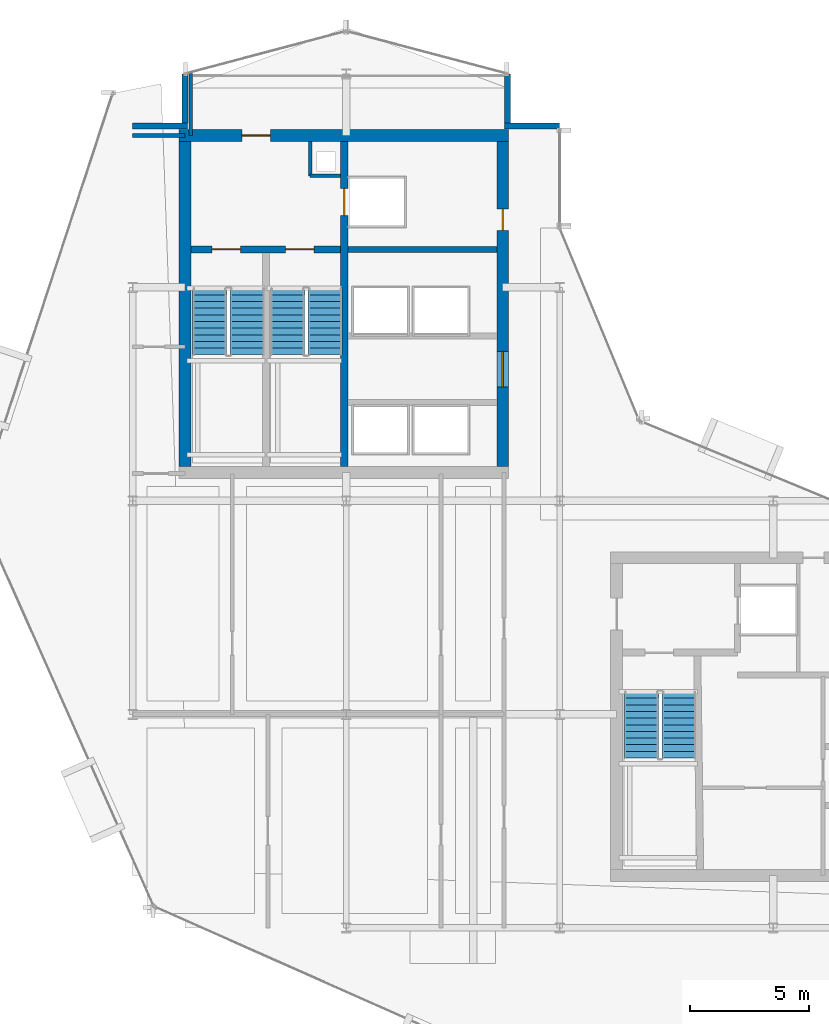
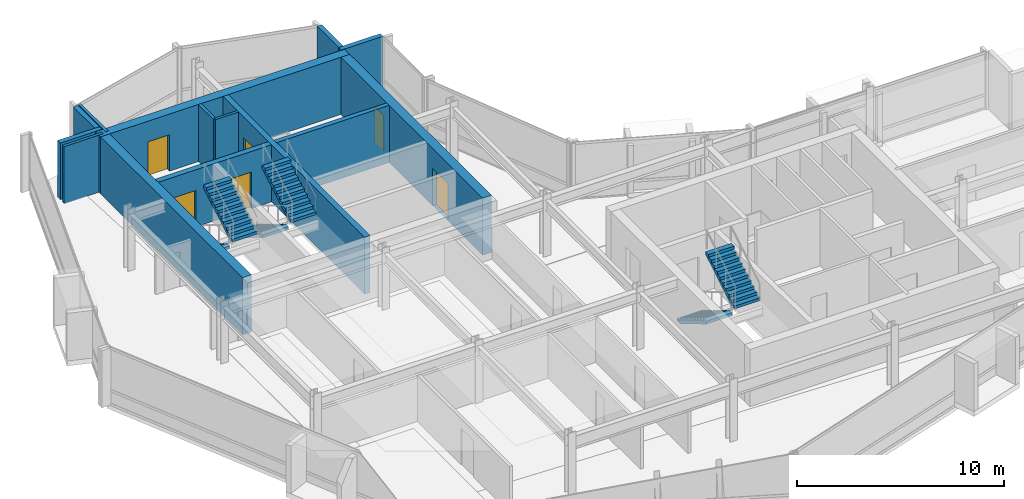
# One storey, part 21 of 27: 14 walls, 6 doors, 6 stair flights, 6 openings, 3 elements without a shape of their own.
"""IFC4 building model written with IfcOpenShell, lengths in metres."""

from ifc_helpers import new_model, si_unit, direction, frame, frame_2d, origin, place, context, subcontext, project, spatial, polyline, rectangle, outline, extrude, material, layer, layer_set, type_object, element, fill, aggregate, save


model = new_model("IFC4")

# Units and contexts
model_context = context("Model", 3, precision=1e-05, world=origin(), true_north=direction((0.0, 1.0)))
body_context = subcontext(model_context, "Body", "Model", "MODEL_VIEW")
ifc_project = project(units=[si_unit("LENGTHUNIT", "METRE"), si_unit("AREAUNIT", "SQUARE_METRE"), si_unit("VOLUMEUNIT", "CUBIC_METRE"), si_unit("PLANEANGLEUNIT", "RADIAN"), si_unit("MASSUNIT", "GRAM", prefix="KILO")], contexts=[model_context])

# Site, building, storey
site_placement = place(None, origin())
site = spatial("IfcSite", under=ifc_project, at=site_placement, CompositionType="ELEMENT")
building_placement = place(site_placement, origin())
building = spatial("IfcBuilding", under=site, at=building_placement, Name="Solvaryn Broadcast Tower", CompositionType="ELEMENT")
storey_placement = place(building_placement, frame((0.0, 0.0, 192.699951171875)))
storey = spatial("IfcBuildingStorey", under=building, at=storey_placement, Name="L48", CompositionType="ELEMENT", Elevation=192.699951171875)

# Wall, opening, door
ifc_material_1 = material(Name="Concrete f'c 70 MPa", Category="concrete")
ifc_layer_1 = layer(ifc_material_1, 0.5)
ifc_layer_set_1 = layer_set([ifc_layer_1], Name="CW-SHEAR-500")
wall_type_1 = type_object("IfcWallType", Name="CW-SHEAR-500", PredefinedType="SHEAR", material=ifc_layer_set_1)
wall_1_placement = place(storey_placement, frame((24.85009765625, 42.39990234375, 0.0), z_axis=(0.0, 0.0, 1.0), x_axis=(-1.0, 0.0, 0.0)))
wall_1 = element("IfcWall", 1, at=wall_1_placement, inside=storey, type_object=wall_type_1, Name="L48 West Core North Shear Wall", PredefinedType="SHEAR", context=body_context, shape_type="SweptSolid", body=[
    extrude(rectangle(XDim=13.900146484375, YDim=0.5, at=frame_2d((6.9501953125, 0.0))), origin(), (0.0, 0.0, 1.0), 3.3701171875),
])
opening_1_placement = place(wall_1_placement, frame((10.050048828125, 0.0, 0.0)))
opening_1 = element("IfcOpeningElement", 2, at=opening_1_placement, cuts=wall_1, Name="Opening FD90A", PredefinedType="OPENING", context=body_context, shape_type="SweptSolid", body=[
    extrude(rectangle(XDim=1.199951171875, YDim=2.14990234375, at=frame_2d((0.60009765625, 1.074951171875))), frame((0.0, 0.260009765625, 0.0), z_axis=(0.0, -1.0, 0.0), x_axis=(1.0, 0.0, 0.0)), (0.0, 0.0, 1.0), 0.52001953125),
])
ifc_material_2 = material(Name="Flush Acoustic Steel and Timber Door Assembly", Category="steel")
door_type_1 = type_object("IfcDoorType", Name="FD90-STAIR-1200X2150", OperationType="NOTDEFINED", PredefinedType="DOOR", material=ifc_material_2)
door_1_placement = place(opening_1_placement, origin())
door_1 = element("IfcDoor", 3, at=door_1_placement, inside=storey, type_object=door_type_1, Name="L48 West FSAE Lobby Corridor Door", OperationType="SINGLE_SWING_LEFT", OverallHeight=2.14990234375, OverallWidth=1.199951171875, PredefinedType="DOOR", context=body_context, shape_type="SweptSolid", body=[
    extrude(rectangle(XDim=1.199951171875, YDim=2.14990234375, at=frame_2d((0.60009765625, 1.074951171875))), frame((0.0, 0.02490234375, 0.0), z_axis=(0.0, -1.0, 0.0), x_axis=(1.0, 0.0, 0.0)), (0.0, 0.0, 1.0), 0.050048828125),
])
fill(opening_1, door_1)

# Wall
wall_2_placement = place(storey_placement, frame((11.199951171875, 42.14990234375, 0.0), z_axis=(0.0, 0.0, 1.0), x_axis=(0.0, -1.0, 0.0)))
element("IfcWall", 4, at=wall_2_placement, inside=storey, type_object=wall_type_1, Name="L48 West Core West Shear Wall", PredefinedType="SHEAR", context=body_context, shape_type="SweptSolid", body=[
    extrude(rectangle(XDim=13.699951171875, YDim=0.5, at=frame_2d((6.85009765625, 0.0))), origin(), (0.0, 0.0, 1.0), 3.3701171875),
])

# Wall, openings, doors
wall_3_placement = place(storey_placement, frame((24.60009765625, 28.449951171875, 0.0), z_axis=(0.0, 0.0, 1.0), x_axis=(0.0, 1.0, 0.0)))
wall_3 = element("IfcWall", 5, at=wall_3_placement, inside=storey, type_object=wall_type_1, Name="L48 West Core East Shear Wall", PredefinedType="SHEAR", context=body_context, shape_type="SweptSolid", body=[
    extrude(rectangle(XDim=13.699951171875, YDim=0.5, at=frame_2d((6.85009765625, 0.0))), origin(), (0.0, 0.0, 1.0), 3.3701171875),
])
opening_2_placement = place(wall_3_placement, frame((3.35009765625, 0.0, 0.0)))
opening_2 = element("IfcOpeningElement", 6, at=opening_2_placement, cuts=wall_3, Name="Opening FD60A", PredefinedType="OPENING", context=body_context, shape_type="SweptSolid", body=[
    extrude(rectangle(XDim=1.5, YDim=2.199951171875, at=frame_2d((0.75, 1.10009765625))), frame((0.0, 0.260009765625, 0.0), z_axis=(0.0, -1.0, 0.0), x_axis=(1.0, 0.0, 0.0)), (0.0, 0.0, 1.0), 0.52001953125),
])
opening_3_placement = place(wall_3_placement, frame((9.949951171875, 0.0, 0.0)))
opening_3 = element("IfcOpeningElement", 7, at=opening_3_placement, cuts=wall_3, Name="Opening FD60C", PredefinedType="OPENING", context=body_context, shape_type="SweptSolid", body=[
    extrude(rectangle(XDim=0.89990234375, YDim=2.10009765625, at=frame_2d((0.449951171875, 1.050048828125))), frame((0.0, 0.260009765625, 0.0), z_axis=(0.0, -1.0, 0.0), x_axis=(1.0, 0.0, 0.0)), (0.0, 0.0, 1.0), 0.52001953125),
])
ifc_material_3 = material(Name="Flush Acoustic Steel and Timber Door Assembly", Category="steel")
door_type_2 = type_object("IfcDoorType", Name="FD60-CORR-1500X2200", OperationType="NOTDEFINED", PredefinedType="DOOR", material=ifc_material_3)
door_2_placement = place(opening_2_placement, origin())
door_2 = element("IfcDoor", 8, at=door_2_placement, inside=storey, type_object=door_type_2, Name="L48 West Elevator Lobby Corridor Door", OperationType="DOUBLE_DOOR_SINGLE_SWING", OverallHeight=2.199951171875, OverallWidth=1.5, PredefinedType="DOOR", context=body_context, shape_type="SweptSolid", body=[
    extrude(rectangle(XDim=1.5, YDim=2.199951171875, at=frame_2d((0.75, 1.10009765625))), frame((0.0, 0.02490234375, 0.0), z_axis=(0.0, -1.0, 0.0), x_axis=(1.0, 0.0, 0.0)), (0.0, 0.0, 1.0), 0.050048828125),
])
fill(opening_2, door_2)
ifc_material_4 = material(Name="Flush Acoustic Steel and Timber Door Assembly", Category="steel")
door_type_3 = type_object("IfcDoorType", Name="FD60-SERV-900X2100", OperationType="NOTDEFINED", PredefinedType="DOOR", material=ifc_material_4)
door_3_placement = place(opening_3_placement, origin())
door_3 = element("IfcDoor", 9, at=door_3_placement, inside=storey, type_object=door_type_3, Name="L48 West Core Service Door 1", OperationType="SINGLE_SWING_LEFT", OverallHeight=2.10009765625, OverallWidth=0.89990234375, PredefinedType="DOOR", context=body_context, shape_type="SweptSolid", body=[
    extrude(rectangle(XDim=0.89990234375, YDim=2.10009765625, at=frame_2d((0.449951171875, 1.050048828125))), frame((0.0, 0.02490234375, 0.0), z_axis=(0.0, -1.0, 0.0), x_axis=(1.0, 0.0, 0.0)), (0.0, 0.0, 1.0), 0.050048828125),
])
fill(opening_3, door_3)

# Walls
ifc_material_5 = material(Name="Concrete f'c 50 MPa", Category="concrete")
ifc_layer_2 = layer(ifc_material_5, 0.260009765625)
ifc_layer_set_2 = layer_set([ifc_layer_2], Name="EW-PIER-260")
wall_type_2 = type_object("IfcWallType", Name="EW-PIER-260", PredefinedType="SOLIDWALL", material=ifc_layer_set_2)
wall_4_placement = place(storey_placement, frame((9.0, 42.800048828125, 0.0), z_axis=(0.0, 0.0, 1.0), x_axis=(1.0, 0.0, 0.0)))
element("IfcWall", 10, at=wall_4_placement, inside=storey, type_object=wall_type_2, Name="L48 Notched Corner Pier Wall NNW1", PredefinedType="SOLIDWALL", context=body_context, shape_type="SweptSolid", body=[
    extrude(rectangle(XDim=2.320068359375, YDim=0.260009765625, at=frame_2d((1.16015625, 0.0))), origin(), (0.0, 0.0, 1.0), 3.3701171875),
])
for number, where, z_axis, x_axis, name in (
    (11, (11.199951171875, 42.919921875, 0.0), (0.0, 0.0, 1.0), (0.0, 1.0, 0.0), "L48 Notched Corner Pier Wall NNW2"),
    (12, (24.800048828125, 45.0, 0.0), (0.0, 0.0, 1.0), (0.0, -1.0, 0.0), "L48 Notched Corner Pier Wall NNE1"),
):
    element("IfcWall", number, at=place(storey_placement, frame(where, z_axis=z_axis, x_axis=x_axis)), inside=storey, type_object=wall_type_2, Name=name, PredefinedType="SOLIDWALL", context=body_context, shape_type="SweptSolid", body=[
        extrude(rectangle(XDim=2.080078125, YDim=0.260009765625, at=frame_2d((1.0400390625, 0.0))), origin(), (0.0, 0.0, 1.0), 3.3701171875),
    ])
wall_5_placement = place(storey_placement, frame((24.679931640625, 42.800048828125, 0.0), z_axis=(0.0, 0.0, 1.0), x_axis=(1.0, 0.0, 0.0)))
element("IfcWall", 13, at=wall_5_placement, inside=storey, type_object=wall_type_2, Name="L48 Notched Corner Pier Wall NNE2", PredefinedType="SOLIDWALL", context=body_context, shape_type="SweptSolid", body=[
    extrude(rectangle(XDim=2.320068359375, YDim=0.260009765625, at=frame_2d((1.16015625, 0.0))), origin(), (0.0, 0.0, 1.0), 3.3701171875),
])
ifc_material_6 = material(Name="Metal-Stud Service Core Partition")
ifc_layer_3 = layer(ifc_material_6, 0.14990234375)
ifc_layer_set_3 = layer_set([ifc_layer_3], Name="IW-PART-150")
wall_type_3 = type_object("IfcWallType", Name="IW-PART-150", PredefinedType="PARTITIONING", material=ifc_layer_set_3)
wall_6_placement = place(storey_placement, frame((16.47998046875, 40.699951171875, 0.0), z_axis=(0.0, 0.0, 1.0), x_axis=(1.0, 0.0, 0.0)))
element("IfcWall", 14, at=wall_6_placement, inside=storey, type_object=wall_type_3, Name="L48 West Core Riser Shaft South Wall", PredefinedType="PARTITIONING", context=body_context, shape_type="SweptSolid", body=[
    extrude(rectangle(XDim=1.2900390625, YDim=0.14990234375, at=frame_2d((0.64501953125, 0.0))), origin(), (0.0, 0.0, 1.0), 3.3701171875),
])
wall_7_placement = place(storey_placement, frame((16.47998046875, 40.699951171875, 0.0), z_axis=(0.0, 0.0, 1.0), x_axis=(0.0, 1.0, 0.0)))
element("IfcWall", 15, at=wall_7_placement, inside=storey, type_object=wall_type_3, Name="L48 West Core Riser Shaft West Wall", PredefinedType="PARTITIONING", context=body_context, shape_type="SweptSolid", body=[
    extrude(rectangle(XDim=1.449951171875, YDim=0.14990234375, at=frame_2d((0.72509765625, 0.0))), origin(), (0.0, 0.0, 1.0), 3.3701171875),
])
ifc_material_7 = material(Name="Metal-Stud Gypsum Office Partition")
ifc_layer_4 = layer(ifc_material_7, 0.159912109375)
ifc_layer_set_4 = layer_set([ifc_layer_4], Name="IW-PART-160")
wall_type_4 = type_object("IfcWallType", Name="IW-PART-160", PredefinedType="PARTITIONING", material=ifc_layer_set_4)
wall_8_placement = place(storey_placement, frame((9.0, 42.39990234375, 0.0), z_axis=(0.0, 0.0, 1.0), x_axis=(1.0, 0.0, 0.0)))
element("IfcWall", 16, at=wall_8_placement, inside=storey, type_object=wall_type_4, Name="L48 Interior Partition IW-L48-WM-N", PredefinedType="PARTITIONING", context=body_context, shape_type="SweptSolid", body=[
    extrude(rectangle(XDim=2.199951171875, YDim=0.159912109375, at=frame_2d((1.10009765625, 0.0))), origin(), (0.0, 0.0, 1.0), 3.3701171875),
])
wall_9_placement = place(storey_placement, frame((11.449951171875, 42.39990234375, 0.0), z_axis=(0.0, 0.0, 1.0), x_axis=(0.0, 1.0, 0.0)))
element("IfcWall", 17, at=wall_9_placement, inside=storey, type_object=wall_type_4, Name="L48 Interior Partition IW-L48-WM-E", PredefinedType="PARTITIONING", context=body_context, shape_type="SweptSolid", body=[
    extrude(rectangle(XDim=2.666015625, YDim=0.159912109375, at=frame_2d((1.3330078125, 0.0))), origin(), (0.0, 0.0, 1.0), 3.3701171875),
])
ifc_material_8 = material(Name="Concrete f'c 60 MPa", Category="concrete")
ifc_layer_5 = layer(ifc_material_8, 0.25)
ifc_layer_set_5 = layer_set([ifc_layer_5], Name="SW-SHAFT-250")
wall_type_5 = type_object("IfcWallType", Name="SW-SHAFT-250", PredefinedType="PARTITIONING", material=ifc_layer_set_5)
wall_10_placement = place(storey_placement, frame((18.070068359375, 37.60009765625, 0.0), z_axis=(0.0, 0.0, 1.0), x_axis=(1.0, 0.0, 0.0)))
element("IfcWall", 18, at=wall_10_placement, inside=storey, type_object=wall_type_5, Name="L48 West Core FSAE Hoistway Front Wall", PredefinedType="PARTITIONING", context=body_context, shape_type="SweptSolid", body=[
    extrude(rectangle(XDim=6.280029296875, YDim=0.25, at=frame_2d((3.14013671875, 0.0))), origin(), (0.0, 0.0, 1.0), 3.3701171875),
])

# Wall, opening, door
ifc_material_9 = material(Name="Concrete f'c 70 MPa", Category="concrete")
ifc_layer_6 = layer(ifc_material_9, 0.300048828125)
ifc_layer_set_6 = layer_set([ifc_layer_6], Name="SW-SHAFT-300")
wall_type_6 = type_object("IfcWallType", Name="SW-SHAFT-300", PredefinedType="SHEAR", material=ifc_layer_set_6)
wall_11_placement = place(storey_placement, frame((17.919921875, 42.14990234375, 0.0), z_axis=(0.0, 0.0, 1.0), x_axis=(0.0, -1.0, 0.0)))
wall_11 = element("IfcWall", 19, at=wall_11_placement, inside=storey, type_object=wall_type_6, Name="L48 West Core Stair-Lobby Shear Wall", PredefinedType="SHEAR", context=body_context, shape_type="SweptSolid", body=[
    extrude(rectangle(XDim=13.699951171875, YDim=0.300048828125, at=frame_2d((6.85009765625, 0.0))), origin(), (0.0, 0.0, 1.0), 3.3701171875),
])
opening_4_placement = place(wall_11_placement, frame((1.97509765625, 0.0, 0.0)))
opening_4 = element("IfcOpeningElement", 20, at=opening_4_placement, cuts=wall_11, Name="Opening LD01", PredefinedType="OPENING", context=body_context, shape_type="SweptSolid", body=[
    extrude(rectangle(XDim=1.14990234375, YDim=2.14990234375, at=frame_2d((0.574951171875, 1.074951171875))), frame((0.0, 0.159912109375, 0.0), z_axis=(0.0, -1.0, 0.0), x_axis=(1.0, 0.0, 0.0)), (0.0, 0.0, 1.0), 0.320068359375),
])
ifc_material_10 = material(Name="Flush Acoustic Steel and Timber Door Assembly", Category="steel")
door_type_4 = type_object("IfcDoorType", Name="LD-LIFT-1150X2150", OperationType="NOTDEFINED", PredefinedType="DOOR", material=ifc_material_10)
door_4_placement = place(opening_4_placement, origin())
door_4 = element("IfcDoor", 21, at=door_4_placement, inside=storey, type_object=door_type_4, Name="L48 FL1 Lift Landing Door", OperationType="DOUBLE_DOOR_SLIDING", OverallHeight=2.14990234375, OverallWidth=1.14990234375, PredefinedType="DOOR", context=body_context, shape_type="SweptSolid", body=[
    extrude(rectangle(XDim=1.14990234375, YDim=2.14990234375, at=frame_2d((0.574951171875, 1.074951171875))), frame((0.0, 0.02490234375, 0.0), z_axis=(0.0, -1.0, 0.0), x_axis=(1.0, 0.0, 0.0)), (0.0, 0.0, 1.0), 0.050048828125),
])
fill(opening_4, door_4)

# Wall, openings, doors
wall_12_placement = place(storey_placement, frame((17.77001953125, 37.60009765625, 0.0), z_axis=(0.0, 0.0, 1.0), x_axis=(-1.0, 0.0, 0.0)))
wall_12 = element("IfcWall", 22, at=wall_12_placement, inside=storey, type_object=wall_type_6, Name="L48 West Core FSAE Lobby South Wall", PredefinedType="SHEAR", context=body_context, shape_type="SweptSolid", body=[
    extrude(rectangle(XDim=6.320068359375, YDim=0.300048828125, at=frame_2d((3.16015625, 0.0))), origin(), (0.0, 0.0, 1.0), 3.3701171875),
])
opening_5_placement = place(wall_12_placement, frame((4.219970703125, 0.0, 0.0)))
opening_5 = element("IfcOpeningElement", 23, at=opening_5_placement, cuts=wall_12, Name="Opening FD90A", PredefinedType="OPENING", context=body_context, shape_type="SweptSolid", body=[
    extrude(rectangle(XDim=1.199951171875, YDim=2.14990234375, at=frame_2d((0.60009765625, 1.074951171875))), frame((0.0, 0.159912109375, 0.0), z_axis=(0.0, -1.0, 0.0), x_axis=(1.0, 0.0, 0.0)), (0.0, 0.0, 1.0), 0.320068359375),
])
opening_6_placement = place(wall_12_placement, frame((1.1201171875, 0.0, 0.0)))
opening_6 = element("IfcOpeningElement", 24, at=opening_6_placement, cuts=wall_12, Name="Opening FD90A", PredefinedType="OPENING", context=body_context, shape_type="SweptSolid", body=[
    extrude(rectangle(XDim=1.199951171875, YDim=2.14990234375, at=frame_2d((0.60009765625, 1.074951171875))), frame((0.0, 0.159912109375, 0.0), z_axis=(0.0, -1.0, 0.0), x_axis=(1.0, 0.0, 0.0)), (0.0, 0.0, 1.0), 0.320068359375),
])
door_5_placement = place(opening_5_placement, origin())
door_5 = element("IfcDoor", 25, at=door_5_placement, inside=storey, type_object=door_type_1, Name="L48 Stair 1 Fire Door", OperationType="SINGLE_SWING_LEFT", OverallHeight=2.14990234375, OverallWidth=1.199951171875, PredefinedType="DOOR", context=body_context, shape_type="SweptSolid", body=[
    extrude(rectangle(XDim=1.199951171875, YDim=2.14990234375, at=frame_2d((0.60009765625, 1.074951171875))), frame((0.0, 0.02490234375, 0.0), z_axis=(0.0, -1.0, 0.0), x_axis=(1.0, 0.0, 0.0)), (0.0, 0.0, 1.0), 0.050048828125),
])
fill(opening_5, door_5)
door_6_placement = place(opening_6_placement, origin())
door_6 = element("IfcDoor", 26, at=door_6_placement, inside=storey, type_object=door_type_1, Name="L48 Stair 2 Fire Door", OperationType="SINGLE_SWING_RIGHT", OverallHeight=2.14990234375, OverallWidth=1.199951171875, PredefinedType="DOOR", context=body_context, shape_type="SweptSolid", body=[
    extrude(rectangle(XDim=1.199951171875, YDim=2.14990234375, at=frame_2d((0.60009765625, 1.074951171875))), frame((0.0, 0.02490234375, 0.0), z_axis=(0.0, -1.0, 0.0), x_axis=(1.0, 0.0, 0.0)), (0.0, 0.0, 1.0), 0.050048828125),
])
fill(opening_6, door_6)

# Stair, stair flights
ifc_material_11 = material(Name="Concrete f'c 60 MPa", Category="concrete")
stair_type = type_object("IfcStairType", Name="ST-CORE", PredefinedType="HALF_TURN_STAIR", material=ifc_material_11)
stair_1_placement = place(storey_placement, origin())
stair_1 = element("IfcStair", 27, at=stair_1_placement, inside=storey, type_object=stair_type, Name="L48 ST1", PredefinedType="HALF_TURN_STAIR")
ifc_material_12 = material(Name="Concrete f'c 60 MPa", Category="concrete")
ifc_layer_7 = layer(ifc_material_12, 0.159912109375)
ifc_layer_set_7 = layer_set([ifc_layer_7], Name="SF-CORE")
stair_flight_type = type_object("IfcStairFlightType", Name="SF-CORE", PredefinedType="STRAIGHT", material=ifc_layer_set_7)
stair_flight_1_placement = place(storey_placement, frame((12.239990234375, 35.9599609375, 0.0), z_axis=(0.0, 0.0, 1.0), x_axis=(0.0, -1.0, 0.0)))
stair_flight_1 = element("IfcStairFlight", 28, at=stair_flight_1_placement, type_object=stair_flight_type, Name="ST1 flight 1", NumberOfRisers=11, NumberOfTreads=10, PredefinedType="STRAIGHT", RiserHeight=0.168181818, TreadLength=0.28, context=body_context, shape_type="SweptSolid", body=[
    extrude(outline(polyline([(0.0, 0.0), (0.0, 0.168212890625), (0.280029296875, 0.168212890625), (0.280029296875, 0.33642578125), (0.56005859375, 0.33642578125), (0.56005859375, 0.504638671875), (0.840087890625, 0.504638671875), (0.840087890625, 0.672607421875), (1.1201171875, 0.672607421875), (1.1201171875, 0.8408203125), (1.39990234375, 0.8408203125), (1.39990234375, 1.009033203125), (1.679931640625, 1.009033203125), (1.679931640625, 1.17724609375), (1.9599609375, 1.17724609375), (1.9599609375, 1.345458984375), (2.239990234375, 1.345458984375), (2.239990234375, 1.513671875), (2.52001953125, 1.513671875), (2.52001953125, 1.681884765625), (2.800048828125, 1.681884765625), (2.800048828125, 1.85009765625), (2.800048828125, 1.5068359375), (0.291015625, 0.0), (0.0, 0.0)])), frame((0.0, 0.719970703125, 0.0), z_axis=(0.0, -1.0, 0.0), x_axis=(1.0, 0.0, 0.0)), (0.0, 0.0, 1.0), 1.43994140625),
])
stair_flight_2_placement = place(storey_placement, frame((13.830078125, 33.159912109375, 1.85009765625), z_axis=(0.0, 0.0, 1.0), x_axis=(0.0, 1.0, 0.0)))
stair_flight_2 = element("IfcStairFlight", 29, at=stair_flight_2_placement, type_object=stair_flight_type, Name="ST1 flight 2", NumberOfRisers=11, NumberOfTreads=10, PredefinedType="STRAIGHT", RiserHeight=0.168181818, TreadLength=0.28, context=body_context, shape_type="SweptSolid", body=[
    extrude(outline(polyline([(0.0, 0.0), (0.0, 0.168212890625), (0.280029296875, 0.168212890625), (0.280029296875, 0.33642578125), (0.56005859375, 0.33642578125), (0.56005859375, 0.504638671875), (0.840087890625, 0.504638671875), (0.840087890625, 0.672607421875), (1.1201171875, 0.672607421875), (1.1201171875, 0.8408203125), (1.39990234375, 0.8408203125), (1.39990234375, 1.009033203125), (1.679931640625, 1.009033203125), (1.679931640625, 1.17724609375), (1.9599609375, 1.17724609375), (1.9599609375, 1.345458984375), (2.239990234375, 1.345458984375), (2.239990234375, 1.513671875), (2.52001953125, 1.513671875), (2.52001953125, 1.681884765625), (2.800048828125, 1.681884765625), (2.800048828125, 1.85009765625), (2.800048828125, 1.5068359375), (0.291015625, 0.0), (0.0, 0.0)])), frame((0.0, 0.719970703125, 0.0), z_axis=(0.0, -1.0, 0.0), x_axis=(1.0, 0.0, 0.0)), (0.0, 0.0, 1.0), 1.43994140625),
])
aggregate(stair_1, [stair_flight_1, stair_flight_2])

stair_2_placement = place(storey_placement, origin())
stair_2 = element("IfcStair", 30, at=stair_2_placement, inside=storey, type_object=stair_type, Name="L48 ST2", PredefinedType="HALF_TURN_STAIR")
stair_flight_3_placement = place(storey_placement, frame((15.52001953125, 35.9599609375, 0.0), z_axis=(0.0, 0.0, 1.0), x_axis=(0.0, -1.0, 0.0)))
stair_flight_3 = element("IfcStairFlight", 31, at=stair_flight_3_placement, type_object=stair_flight_type, Name="ST2 flight 1", NumberOfRisers=11, NumberOfTreads=10, PredefinedType="STRAIGHT", RiserHeight=0.168181818, TreadLength=0.28, context=body_context, shape_type="SweptSolid", body=[
    extrude(outline(polyline([(0.0, 0.0), (0.0, 0.168212890625), (0.280029296875, 0.168212890625), (0.280029296875, 0.33642578125), (0.56005859375, 0.33642578125), (0.56005859375, 0.504638671875), (0.840087890625, 0.504638671875), (0.840087890625, 0.672607421875), (1.1201171875, 0.672607421875), (1.1201171875, 0.8408203125), (1.39990234375, 0.8408203125), (1.39990234375, 1.009033203125), (1.679931640625, 1.009033203125), (1.679931640625, 1.17724609375), (1.9599609375, 1.17724609375), (1.9599609375, 1.345458984375), (2.239990234375, 1.345458984375), (2.239990234375, 1.513671875), (2.52001953125, 1.513671875), (2.52001953125, 1.681884765625), (2.800048828125, 1.681884765625), (2.800048828125, 1.85009765625), (2.800048828125, 1.5068359375), (0.291015625, 0.0), (0.0, 0.0)])), frame((0.0, 0.719970703125, 0.0), z_axis=(0.0, -1.0, 0.0), x_axis=(1.0, 0.0, 0.0)), (0.0, 0.0, 1.0), 1.43994140625),
])
stair_flight_4_placement = place(storey_placement, frame((17.110107421875, 33.159912109375, 1.85009765625), z_axis=(0.0, 0.0, 1.0), x_axis=(0.0, 1.0, 0.0)))
stair_flight_4 = element("IfcStairFlight", 32, at=stair_flight_4_placement, type_object=stair_flight_type, Name="ST2 flight 2", NumberOfRisers=11, NumberOfTreads=10, PredefinedType="STRAIGHT", RiserHeight=0.168181818, TreadLength=0.28, context=body_context, shape_type="SweptSolid", body=[
    extrude(outline(polyline([(0.0, 0.0), (0.0, 0.168212890625), (0.280029296875, 0.168212890625), (0.280029296875, 0.33642578125), (0.56005859375, 0.33642578125), (0.56005859375, 0.504638671875), (0.840087890625, 0.504638671875), (0.840087890625, 0.672607421875), (1.1201171875, 0.672607421875), (1.1201171875, 0.8408203125), (1.39990234375, 0.8408203125), (1.39990234375, 1.009033203125), (1.679931640625, 1.009033203125), (1.679931640625, 1.17724609375), (1.9599609375, 1.17724609375), (1.9599609375, 1.345458984375), (2.239990234375, 1.345458984375), (2.239990234375, 1.513671875), (2.52001953125, 1.513671875), (2.52001953125, 1.681884765625), (2.800048828125, 1.681884765625), (2.800048828125, 1.85009765625), (2.800048828125, 1.5068359375), (0.291015625, 0.0), (0.0, 0.0)])), frame((0.0, 0.719970703125, 0.0), z_axis=(0.0, -1.0, 0.0), x_axis=(1.0, 0.0, 0.0)), (0.0, 0.0, 1.0), 1.43994140625),
])
aggregate(stair_2, [stair_flight_3, stair_flight_4])

stair_3_placement = place(storey_placement, origin())
stair_3 = element("IfcStair", 33, at=stair_3_placement, inside=storey, type_object=stair_type, Name="L48 ST3", PredefinedType="HALF_TURN_STAIR")
stair_flight_5_placement = place(storey_placement, frame((30.43994140625, 18.9599609375, 0.0), z_axis=(0.0, 0.0, 1.0), x_axis=(0.0, -1.0, 0.0)))
stair_flight_5 = element("IfcStairFlight", 34, at=stair_flight_5_placement, type_object=stair_flight_type, Name="ST3 flight 1", NumberOfRisers=11, NumberOfTreads=10, PredefinedType="STRAIGHT", RiserHeight=0.168181818, TreadLength=0.28, context=body_context, shape_type="SweptSolid", body=[
    extrude(outline(polyline([(0.0, 0.0), (0.0, 0.168212890625), (0.280029296875, 0.168212890625), (0.280029296875, 0.33642578125), (0.56005859375, 0.33642578125), (0.56005859375, 0.504638671875), (0.840087890625, 0.504638671875), (0.840087890625, 0.672607421875), (1.1201171875, 0.672607421875), (1.1201171875, 0.8408203125), (1.39990234375, 0.8408203125), (1.39990234375, 1.009033203125), (1.679931640625, 1.009033203125), (1.679931640625, 1.17724609375), (1.9599609375, 1.17724609375), (1.9599609375, 1.345458984375), (2.239990234375, 1.345458984375), (2.239990234375, 1.513671875), (2.52001953125, 1.513671875), (2.52001953125, 1.681884765625), (2.800048828125, 1.681884765625), (2.800048828125, 1.85009765625), (2.800048828125, 1.5068359375), (0.291015625, 0.0), (0.0, 0.0)])), frame((0.0, 0.719970703125, 0.0), z_axis=(0.0, -1.0, 0.0), x_axis=(1.0, 0.0, 0.0)), (0.0, 0.0, 1.0), 1.43994140625),
])
stair_flight_6_placement = place(storey_placement, frame((32.030029296875, 16.159912109375, 1.85009765625), z_axis=(0.0, 0.0, 1.0), x_axis=(0.0, 1.0, 0.0)))
stair_flight_6 = element("IfcStairFlight", 35, at=stair_flight_6_placement, type_object=stair_flight_type, Name="ST3 flight 2", NumberOfRisers=11, NumberOfTreads=10, PredefinedType="STRAIGHT", RiserHeight=0.168181818, TreadLength=0.28, context=body_context, shape_type="SweptSolid", body=[
    extrude(outline(polyline([(0.0, 0.0), (0.0, 0.168212890625), (0.280029296875, 0.168212890625), (0.280029296875, 0.33642578125), (0.56005859375, 0.33642578125), (0.56005859375, 0.504638671875), (0.840087890625, 0.504638671875), (0.840087890625, 0.672607421875), (1.1201171875, 0.672607421875), (1.1201171875, 0.8408203125), (1.39990234375, 0.8408203125), (1.39990234375, 1.009033203125), (1.679931640625, 1.009033203125), (1.679931640625, 1.17724609375), (1.9599609375, 1.17724609375), (1.9599609375, 1.345458984375), (2.239990234375, 1.345458984375), (2.239990234375, 1.513671875), (2.52001953125, 1.513671875), (2.52001953125, 1.681884765625), (2.800048828125, 1.681884765625), (2.800048828125, 1.85009765625), (2.800048828125, 1.5068359375), (0.291015625, 0.0), (0.0, 0.0)])), frame((0.0, 0.719970703125, 0.0), z_axis=(0.0, -1.0, 0.0), x_axis=(1.0, 0.0, 0.0)), (0.0, 0.0, 1.0), 1.43994140625),
])
aggregate(stair_3, [stair_flight_5, stair_flight_6])

save(model, "model.ifc")
